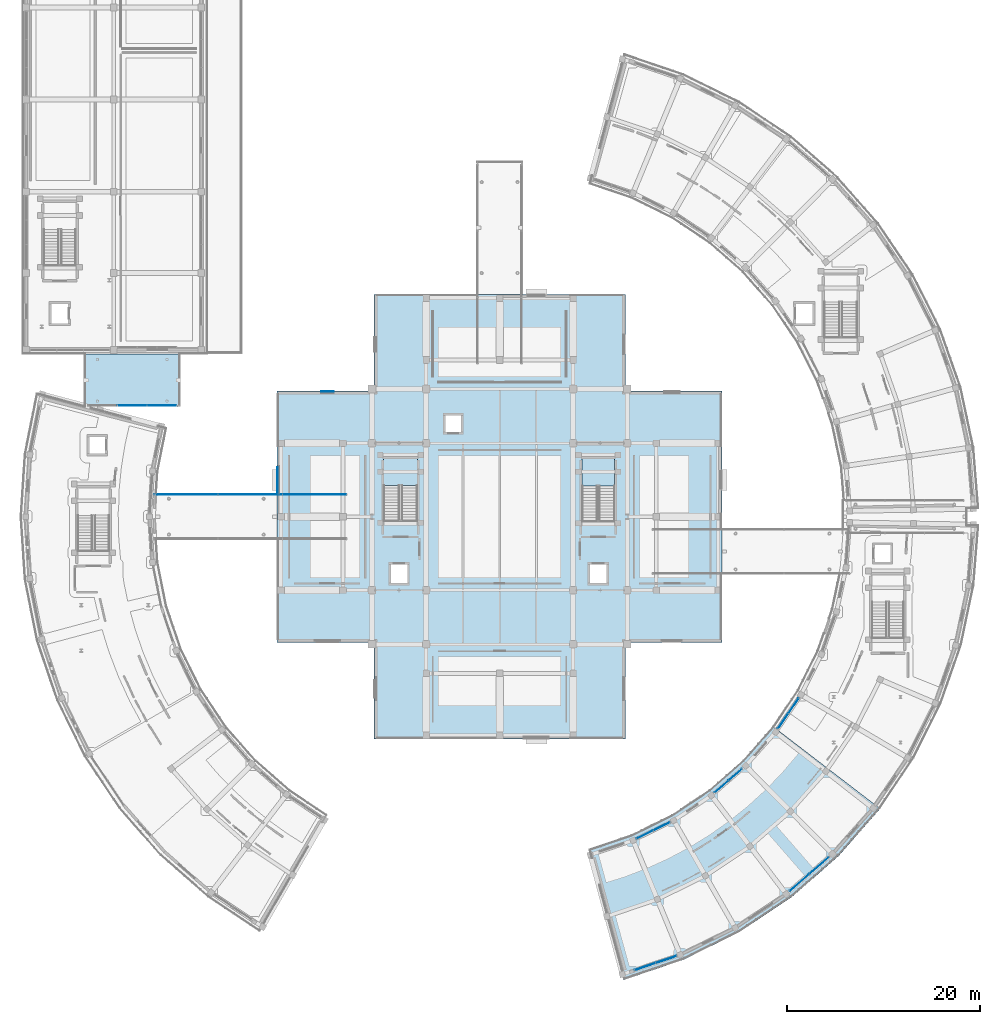
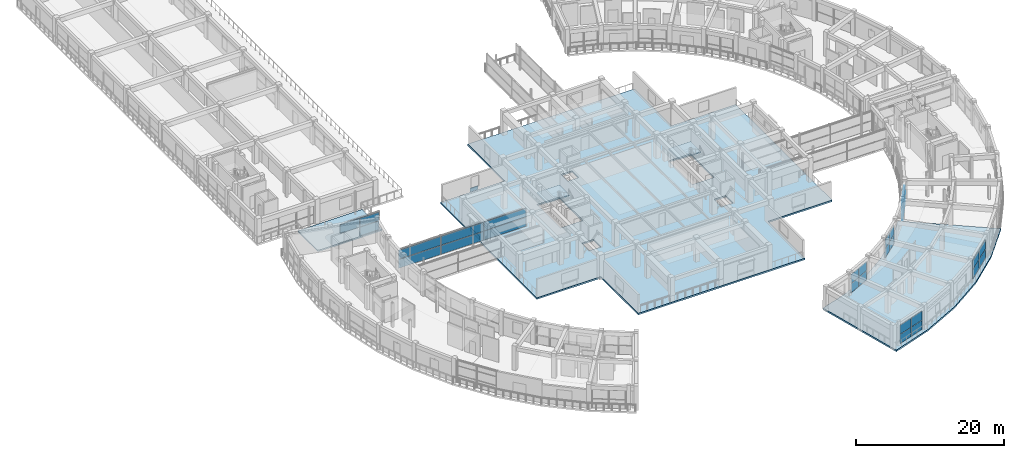
# One storey, part 39 of 70: 31 plates, 5 slabs, 9 elements without a shape of their own.
"""IFC4 building model written with IfcOpenShell, lengths in metres."""

import ifcopenshell
import ifcopenshell.guid

model = None  # the IFC model being written
_history = None  # IfcOwnerHistory: only IFC2X3 demands one
_inside = {}  # id of a spatial element -> (the spatial element, [elements in it])
_under = {}  # id of a project, library or spatial element -> (it, [spatial elements below it])
_declared = {}  # id of a project -> (the project, [libraries it declares])
_typed = {}  # id of a type object -> (the type object, [elements of that type])
_made_of = {}  # id of a material, layer set ... -> (it, [elements and type objects made of it])


def new_model(schema):
    """Start an empty IFC model of exactly this schema.

    Asked for "IFC4X3", IfcOpenShell would pick the latest addendum, in which some entities
    have other attributes; the version numbers below select the first issue.
    IFC2X3 requires an IfcOwnerHistory on every rooted entity: one is made here for all.
    """
    global model, _history
    if schema == "IFC4X3":
        model = ifcopenshell.file(schema_version=(4, 3, 0, 0))
    else:
        model = ifcopenshell.file(schema=schema)
    _inside.clear()
    _under.clear()
    _declared.clear()
    _typed.clear()
    _made_of.clear()
    _history = None
    if model.schema == "IFC2X3":
        org = make("IfcOrganization", Name="unknown")
        user = make(
            "IfcPersonAndOrganization",
            ThePerson=make("IfcPerson", FamilyName="unknown"),
            TheOrganization=org,
        )
        app = make(
            "IfcApplication",
            ApplicationDeveloper=org,
            Version="unknown",
            ApplicationFullName="unknown",
            ApplicationIdentifier="unknown",
        )
        _history = make(
            "IfcOwnerHistory",
            OwningUser=user,
            OwningApplication=app,
            ChangeAction="ADDED",
            CreationDate=0,
        )
    return model


def make(cls, **values):
    """One entity of the class cls with the attributes given. An attribute that is None is left unset."""
    return model.create_entity(
        cls, **{name: value for name, value in values.items() if value is not None}
    )


def rooted(cls, **values):
    """An entity with a GlobalId (a new one), such as an element, a storey or a relation."""
    return make(cls, GlobalId=ifcopenshell.guid.new(), OwnerHistory=_history, **values)


def si_unit(unit_type, name, prefix=None):
    """IfcSIUnit, for example si_unit("LENGTHUNIT", "METRE", prefix="MILLI")."""
    return make("IfcSIUnit", UnitType=unit_type, Prefix=prefix, Name=name)


def assignment(units):
    """IfcUnitAssignment: the units of a project."""
    return None if units is None else make("IfcUnitAssignment", Units=units)


def point(xyz):
    """IfcCartesianPoint."""
    return None if xyz is None else make("IfcCartesianPoint", Coordinates=xyz)


def direction(xyz):
    """IfcDirection."""
    return None if xyz is None else make("IfcDirection", DirectionRatios=xyz)


def frame(location, z_axis=None, x_axis=None):
    """IfcAxis2Placement3D, a coordinate frame: its origin and axes. An axis left out is left unset."""
    return make(
        "IfcAxis2Placement3D",
        Location=point(location),
        Axis=direction(z_axis),
        RefDirection=direction(x_axis),
    )


def frame_2d(location, x_axis=None):
    """IfcAxis2Placement2D, a coordinate frame in the plane: its origin and x axis."""
    return make(
        "IfcAxis2Placement2D", Location=point(location), RefDirection=direction(x_axis)
    )


def origin():
    """The frame at (0, 0, 0) with its axes left unset."""
    return frame((0.0, 0.0, 0.0))


def origin_2d():
    """The frame at (0, 0) in the plane with its x axis left unset."""
    return frame_2d((0.0, 0.0))


def place(relative_to, where):
    """IfcLocalPlacement: puts the frame where relative to a parent placement (None: the world)."""
    return make(
        "IfcLocalPlacement", PlacementRelTo=relative_to, RelativePlacement=where
    )


def context(
    kind, dimensions, precision=None, world=None, true_north=None, identifier=None
):
    """IfcGeometricRepresentationContext, for example the 3D "Model" context."""
    return make(
        "IfcGeometricRepresentationContext",
        ContextIdentifier=identifier,
        ContextType=kind,
        CoordinateSpaceDimension=dimensions,
        Precision=precision,
        WorldCoordinateSystem=world,
        TrueNorth=true_north,
    )


def subcontext(parent, identifier, kind, view, scale=None):
    """IfcGeometricRepresentationSubContext, for example "Body" below "Model"."""
    return make(
        "IfcGeometricRepresentationSubContext",
        ContextIdentifier=identifier,
        ContextType=kind,
        ParentContext=parent,
        TargetScale=scale,
        TargetView=view,
    )


def project(units=None, contexts=None):
    """IfcProject with its units and contexts."""
    return rooted(
        "IfcProject",
        Name="project",
        RepresentationContexts=contexts,
        UnitsInContext=assignment(units),
    )


def spatial(cls, under=None, at=None, **own):
    """A site, building, storey or space (cls), placed at a placement, below another one or the project."""
    s = rooted(cls, ObjectPlacement=at, **own)
    if under is not None:
        _under.setdefault(under.id(), (under, []))[1].append(s)
    return s


def polyline(points):
    """IfcPolyline through the points."""
    return make("IfcPolyline", Points=[point(p) for p in points])


def profile(cls, at=None, kind="AREA", **sizes):
    """A parametric profile (cls). Its sizes go by their IFC names, for example OverallWidth=200.0."""
    return make(cls, ProfileType=kind, Position=at, **sizes)


def rectangle(**sizes):
    """IfcRectangleProfileDef."""
    return profile("IfcRectangleProfileDef", **sizes)


def outline(outer, holes=None, kind="AREA"):
    """IfcArbitraryClosedProfileDef: a profile drawn as a closed curve; with holes, ...WithVoids."""
    if holes is None:
        return make("IfcArbitraryClosedProfileDef", ProfileType=kind, OuterCurve=outer)
    return make(
        "IfcArbitraryProfileDefWithVoids",
        ProfileType=kind,
        OuterCurve=outer,
        InnerCurves=holes,
    )


def extrude(swept, where, along, depth):
    """IfcExtrudedAreaSolid: the profile swept, set in the frame where, extruded along a direction by depth."""
    return make(
        "IfcExtrudedAreaSolid",
        SweptArea=swept,
        Position=where,
        ExtrudedDirection=direction(along),
        Depth=depth,
    )


def shape(context_of_items, identifier, shape_type, items):
    """IfcShapeRepresentation: the items that make up one representation, for example the "Body"."""
    return make(
        "IfcShapeRepresentation",
        ContextOfItems=context_of_items,
        RepresentationIdentifier=identifier,
        RepresentationType=shape_type,
        Items=items,
    )


def material(Name=None, Category=None):
    """IfcMaterial."""
    return make("IfcMaterial", Name=Name, Category=Category)


def layer(
    of_material, thickness, ventilated=None, Name=None, Category=None, Priority=None
):
    """IfcMaterialLayer: one layer of a wall or slab, of a material (None: an air gap)."""
    return make(
        "IfcMaterialLayer",
        Material=of_material,
        LayerThickness=thickness,
        IsVentilated=ventilated,
        Name=Name,
        Category=Category,
        Priority=Priority,
    )


def layer_set(layers, Name=None):
    """IfcMaterialLayerSet."""
    return make("IfcMaterialLayerSet", MaterialLayers=layers, LayerSetName=Name)


def made_of(thing, what):
    """Note that an element or type object is made of a material, layer set ...; save() writes the relation."""
    if what is not None:
        _made_of.setdefault(what.id(), (what, []))[1].append(thing)
    return thing


def type_object(cls, material=None, **own):
    """A type object (cls), such as IfcWallType, which elements share."""
    return made_of(rooted(cls, **own), material)


def element(
    cls,
    number,
    at=None,
    inside=None,
    cuts=None,
    type_object=None,
    material=None,
    context=None,
    identifier="Body",
    shape_type=None,
    held_by="IfcProductDefinitionShape",
    body=None,
    shapes=None,
    **own,
):
    """One element of the class cls, such as IfcWall. Its Tag is "e" and its number.

    at: its placement. inside: the storey or other place that contains it. cuts: it is an
    opening in that element (IfcRelVoidsElement). A single representation is given by context,
    identifier, shape_type and body (its items); several are given by shapes. held_by: the class
    of the entity that holds the representations. save() writes the other relations.
    """
    e = rooted(cls, Tag="e%d" % number, ObjectPlacement=at, **own)
    if body is not None:
        shapes = [shape(context, identifier, shape_type, body)]
    if shapes is not None:
        e.Representation = make(held_by, Representations=shapes)
    if inside is not None:
        _inside.setdefault(inside.id(), (inside, []))[1].append(e)
    if cuts is not None:
        rooted(
            "IfcRelVoidsElement", RelatingBuildingElement=cuts, RelatedOpeningElement=e
        )
    if type_object is not None:
        _typed.setdefault(type_object.id(), (type_object, []))[1].append(e)
    return made_of(e, material)


def aggregate(whole, parts):
    """IfcRelAggregates: a whole, such as a stair, and the parts it consists of."""
    return rooted("IfcRelAggregates", RelatingObject=whole, RelatedObjects=parts)


def save(model, path):
    """Write the relations noted so far, then the file.

    IfcRelAggregates (storeys below a building ...), IfcRelContainedInSpatialStructure (elements
    in a storey), IfcRelDefinesByType, IfcRelAssociatesMaterial and IfcRelDeclares: one each for
    every whole, place, type object, material and project.
    """
    for whole, parts in _under.values():
        aggregate(whole, parts)
    for where, things in _inside.values():
        rooted(
            "IfcRelContainedInSpatialStructure",
            RelatedElements=things,
            RelatingStructure=where,
        )
    for kind, things in _typed.values():
        rooted("IfcRelDefinesByType", RelatedObjects=things, RelatingType=kind)
    for what, things in _made_of.values():
        rooted("IfcRelAssociatesMaterial", RelatedObjects=things, RelatingMaterial=what)
    for by, libraries in _declared.values():
        rooted("IfcRelDeclares", RelatingContext=by, RelatedDefinitions=libraries)
    model.write(path)


model = new_model("IFC4")

# Units and contexts
model_context = context("Model", 3, precision=1e-05, world=origin(), true_north=direction((0.0, 1.0)))
body_context = subcontext(model_context, "Body", "Model", "MODEL_VIEW")
ifc_project = project(units=[si_unit("LENGTHUNIT", "METRE"), si_unit("AREAUNIT", "SQUARE_METRE"), si_unit("VOLUMEUNIT", "CUBIC_METRE"), si_unit("PLANEANGLEUNIT", "RADIAN"), si_unit("MASSUNIT", "GRAM", prefix="KILO")], contexts=[model_context])

# Site, building, storey
site_placement = place(None, origin())
site = spatial("IfcSite", under=ifc_project, at=site_placement, CompositionType="ELEMENT")
building_placement = place(site_placement, origin())
building = spatial("IfcBuilding", under=site, at=building_placement, Name="Saryqyr Civic Hall", CompositionType="ELEMENT")
storey_placement = place(building_placement, frame((0.0, 0.0, 13.199951171875)))
storey = spatial("IfcBuildingStorey", under=building, at=storey_placement, Name="L03", CompositionType="ELEMENT", Elevation=13.199951171875)

# Curtain wall, plates
ifc_material_1 = material(Name="Anodised aluminium and triple low-E glass", Category="aluminium")
curtain_wall_type_1 = type_object("IfcCurtainWallType", Name="ENV-CW-STD-30", PredefinedType="NOTDEFINED", material=ifc_material_1)
curtain_wall_1_placement = place(storey_placement, origin())
curtain_wall_1 = element("IfcCurtainWall", 1, at=curtain_wall_1_placement, inside=storey, type_object=curtain_wall_type_1, Name="Curtain wall V5-CWO-L03-00", PredefinedType="NOTDEFINED")
ifc_material_2 = material(Name="Triple low-E insulated glazing", Category="glass")
ifc_layer_1 = layer(ifc_material_2, 0.053955078125, Name="Triple low-E insulated glazing")
ifc_layer_set_1 = layer_set([ifc_layer_1], Name="Triple low-E insulated glazing")
plate_type_1 = type_object("IfcPlateType", Name="ENV-CW-PNL-38", PredefinedType="CURTAIN_PANEL", material=ifc_layer_set_1)
plate_1_placement = place(storey_placement, frame((74.221923828125, 38.20654296875, 0.06005859375), z_axis=(0.0, 0.0, 1.0), x_axis=(-0.947196460204, -0.320653809858, 0.0)))
plate_1 = element("IfcPlate", 2, at=plate_1_placement, type_object=plate_type_1, Name="CW-30 panel 1.1", PredefinedType="CURTAIN_PANEL", context=body_context, shape_type="SweptSolid", body=[
    extrude(rectangle(XDim=2.233154296875, YDim=0.053955078125, at=origin_2d()), origin(), (0.0, 0.0, 1.0), 1.491943359375),
])
plate_2_placement = place(storey_placement, frame((74.221923828125, 38.20654296875, 1.6123046875), z_axis=(0.0, 0.0, 1.0), x_axis=(-0.947196460204, -0.320653809858, 0.0)))
plate_2 = element("IfcPlate", 3, at=plate_2_placement, type_object=plate_type_1, Name="CW-30 panel 1.2", PredefinedType="CURTAIN_PANEL", context=body_context, shape_type="SweptSolid", body=[
    extrude(rectangle(XDim=2.233154296875, YDim=0.053955078125, at=origin_2d()), origin(), (0.0, 0.0, 1.0), 1.492919921875),
])
plate_3_placement = place(storey_placement, frame((72.050048828125, 37.47119140625, 0.06005859375), z_axis=(0.0, 0.0, 1.0), x_axis=(-0.947196460204, -0.320653809858, 0.0)))
plate_3 = element("IfcPlate", 4, at=plate_3_placement, type_object=plate_type_1, Name="CW-30 panel 2.1", PredefinedType="CURTAIN_PANEL", context=body_context, shape_type="SweptSolid", body=[
    extrude(rectangle(XDim=2.233154296875, YDim=0.053955078125, at=origin_2d()), origin(), (0.0, 0.0, 1.0), 1.491943359375),
])
plate_4_placement = place(storey_placement, frame((72.050048828125, 37.47119140625, 1.6123046875), z_axis=(0.0, 0.0, 1.0), x_axis=(-0.947196460204, -0.320653809858, 0.0)))
plate_4 = element("IfcPlate", 5, at=plate_4_placement, type_object=plate_type_1, Name="CW-30 panel 2.2", PredefinedType="CURTAIN_PANEL", context=body_context, shape_type="SweptSolid", body=[
    extrude(rectangle(XDim=2.233154296875, YDim=0.053955078125, at=origin_2d()), origin(), (0.0, 0.0, 1.0), 1.492919921875),
])
aggregate(curtain_wall_1, [plate_1, plate_2, plate_3, plate_4])

curtain_wall_type_2 = type_object("IfcCurtainWallType", Name="ENV-CW-STD-25", PredefinedType="NOTDEFINED", material=ifc_material_1)
curtain_wall_2_placement = place(storey_placement, origin())
curtain_wall_2 = element("IfcCurtainWall", 6, at=curtain_wall_2_placement, inside=storey, type_object=curtain_wall_type_2, Name="Curtain wall V5-CWI-L03-01", PredefinedType="NOTDEFINED")
plate_5_placement = place(storey_placement, frame((72.03076171875, 51.136962890625, 0.06005859375), z_axis=(0.0, 0.0, 1.0), x_axis=(0.897961859945, 0.440073287175, 0.0)))
plate_5 = element("IfcPlate", 7, at=plate_5_placement, type_object=plate_type_1, Name="CW-25 panel 1.1", PredefinedType="CURTAIN_PANEL", context=body_context, shape_type="SweptSolid", body=[
    extrude(rectangle(XDim=1.868896484375, YDim=0.053955078125, at=origin_2d()), origin(), (0.0, 0.0, 1.0), 1.491943359375),
])
plate_6_placement = place(storey_placement, frame((72.03076171875, 51.136962890625, 1.6123046875), z_axis=(0.0, 0.0, 1.0), x_axis=(0.897961859945, 0.440073287175, 0.0)))
plate_6 = element("IfcPlate", 8, at=plate_6_placement, type_object=plate_type_1, Name="CW-25 panel 1.2", PredefinedType="CURTAIN_PANEL", context=body_context, shape_type="SweptSolid", body=[
    extrude(rectangle(XDim=1.868896484375, YDim=0.053955078125, at=origin_2d()), origin(), (0.0, 0.0, 1.0), 1.492919921875),
])
plate_7_placement = place(storey_placement, frame((73.762939453125, 51.98583984375, 0.06005859375), z_axis=(0.0, 0.0, 1.0), x_axis=(0.897961859945, 0.440073287175, 0.0)))
plate_7 = element("IfcPlate", 9, at=plate_7_placement, type_object=plate_type_1, Name="CW-25 panel 2.1", PredefinedType="CURTAIN_PANEL", context=body_context, shape_type="SweptSolid", body=[
    extrude(rectangle(XDim=1.868896484375, YDim=0.053955078125, at=origin_2d()), origin(), (0.0, 0.0, 1.0), 1.491943359375),
])
plate_8_placement = place(storey_placement, frame((73.762939453125, 51.98583984375, 1.6123046875), z_axis=(0.0, 0.0, 1.0), x_axis=(0.897961859945, 0.440073287175, 0.0)))
plate_8 = element("IfcPlate", 10, at=plate_8_placement, type_object=plate_type_1, Name="CW-25 panel 2.2", PredefinedType="CURTAIN_PANEL", context=body_context, shape_type="SweptSolid", body=[
    extrude(rectangle(XDim=1.868896484375, YDim=0.053955078125, at=origin_2d()), origin(), (0.0, 0.0, 1.0), 1.492919921875),
])
aggregate(curtain_wall_2, [plate_5, plate_6, plate_7, plate_8])

curtain_wall_type_3 = type_object("IfcCurtainWallType", Name="ENV-CW-STD-39", PredefinedType="NOTDEFINED", material=ifc_material_1)
curtain_wall_3_placement = place(storey_placement, origin())
curtain_wall_3 = element("IfcCurtainWall", 11, at=curtain_wall_3_placement, inside=storey, type_object=curtain_wall_type_3, Name="Curtain wall V5-CWO-L03-03", PredefinedType="NOTDEFINED")
plate_9_placement = place(storey_placement, frame((90.040771484375, 47.92919921875, 0.06005859375), z_axis=(0.0, 0.0, 1.0), x_axis=(-0.755657475938, -0.654967006085, 0.0)))
plate_9 = element("IfcPlate", 12, at=plate_9_placement, type_object=plate_type_1, Name="CW-39 panel 1.1", PredefinedType="CURTAIN_PANEL", context=body_context, shape_type="SweptSolid", body=[
    extrude(rectangle(XDim=2.624267578125, YDim=0.053955078125, at=origin_2d()), origin(), (0.0, 0.0, 1.0), 1.491943359375),
])
plate_10_placement = place(storey_placement, frame((90.040771484375, 47.92919921875, 1.6123046875), z_axis=(0.0, 0.0, 1.0), x_axis=(-0.755657475938, -0.654967006085, 0.0)))
plate_10 = element("IfcPlate", 13, at=plate_10_placement, type_object=plate_type_1, Name="CW-39 panel 1.2", PredefinedType="CURTAIN_PANEL", context=body_context, shape_type="SweptSolid", body=[
    extrude(rectangle(XDim=2.624267578125, YDim=0.053955078125, at=origin_2d()), origin(), (0.0, 0.0, 1.0), 1.492919921875),
])
plate_11_placement = place(storey_placement, frame((88.012451171875, 46.171142578125, 0.06005859375), z_axis=(0.0, 0.0, 1.0), x_axis=(-0.755657475938, -0.654967006085, 0.0)))
plate_11 = element("IfcPlate", 14, at=plate_11_placement, type_object=plate_type_1, Name="CW-39 panel 2.1", PredefinedType="CURTAIN_PANEL", context=body_context, shape_type="SweptSolid", body=[
    extrude(rectangle(XDim=2.624267578125, YDim=0.053955078125, at=origin_2d()), origin(), (0.0, 0.0, 1.0), 1.491943359375),
])
plate_12_placement = place(storey_placement, frame((88.012451171875, 46.171142578125, 1.6123046875), z_axis=(0.0, 0.0, 1.0), x_axis=(-0.755657475938, -0.654967006085, 0.0)))
plate_12 = element("IfcPlate", 15, at=plate_12_placement, type_object=plate_type_1, Name="CW-39 panel 2.2", PredefinedType="CURTAIN_PANEL", context=body_context, shape_type="SweptSolid", body=[
    extrude(rectangle(XDim=2.624267578125, YDim=0.053955078125, at=origin_2d()), origin(), (0.0, 0.0, 1.0), 1.492919921875),
])
aggregate(curtain_wall_3, [plate_9, plate_10, plate_11, plate_12])

curtain_wall_type_4 = type_object("IfcCurtainWallType", Name="ENV-CW-STD-27", PredefinedType="NOTDEFINED", material=ifc_material_1)
curtain_wall_4_placement = place(storey_placement, origin())
curtain_wall_4 = element("IfcCurtainWall", 16, at=curtain_wall_4_placement, inside=storey, type_object=curtain_wall_type_4, Name="Curtain wall V5-CWI-L03-03", PredefinedType="NOTDEFINED")
plate_13_placement = place(storey_placement, frame((79.95849609375, 56.093994140625, 0.06005859375), z_axis=(0.0, 0.0, 1.0), x_axis=(0.755651502076, 0.654973898267, 0.0)))
plate_13 = element("IfcPlate", 17, at=plate_13_placement, type_object=plate_type_1, Name="CW-27 panel 1.1", PredefinedType="CURTAIN_PANEL", context=body_context, shape_type="SweptSolid", body=[
    extrude(rectangle(XDim=1.797607421875, YDim=0.053955078125, at=origin_2d()), origin(), (0.0, 0.0, 1.0), 1.491943359375),
])
plate_14_placement = place(storey_placement, frame((79.95849609375, 56.093994140625, 1.6123046875), z_axis=(0.0, 0.0, 1.0), x_axis=(0.755651502076, 0.654973898267, 0.0)))
plate_14 = element("IfcPlate", 18, at=plate_14_placement, type_object=plate_type_1, Name="CW-27 panel 1.2", PredefinedType="CURTAIN_PANEL", context=body_context, shape_type="SweptSolid", body=[
    extrude(rectangle(XDim=1.797607421875, YDim=0.053955078125, at=origin_2d()), origin(), (0.0, 0.0, 1.0), 1.492919921875),
])
plate_15_placement = place(storey_placement, frame((81.3623046875, 57.310791015625, 0.06005859375), z_axis=(0.0, 0.0, 1.0), x_axis=(0.755651502076, 0.654973898267, 0.0)))
plate_15 = element("IfcPlate", 19, at=plate_15_placement, type_object=plate_type_1, Name="CW-27 panel 2.1", PredefinedType="CURTAIN_PANEL", context=body_context, shape_type="SweptSolid", body=[
    extrude(rectangle(XDim=1.797607421875, YDim=0.053955078125, at=origin_2d()), origin(), (0.0, 0.0, 1.0), 1.491943359375),
])
plate_16_placement = place(storey_placement, frame((81.3623046875, 57.310791015625, 1.6123046875), z_axis=(0.0, 0.0, 1.0), x_axis=(0.755651502076, 0.654973898267, 0.0)))
plate_16 = element("IfcPlate", 20, at=plate_16_placement, type_object=plate_type_1, Name="CW-27 panel 2.2", PredefinedType="CURTAIN_PANEL", context=body_context, shape_type="SweptSolid", body=[
    extrude(rectangle(XDim=1.797607421875, YDim=0.053955078125, at=origin_2d()), origin(), (0.0, 0.0, 1.0), 1.492919921875),
])
aggregate(curtain_wall_4, [plate_13, plate_14, plate_15, plate_16])

curtain_wall_5_placement = place(storey_placement, origin())
curtain_wall_5 = element("IfcCurtainWall", 21, at=curtain_wall_5_placement, inside=storey, type_object=curtain_wall_type_4, Name="Curtain wall V5-CWI-L03-05", PredefinedType="NOTDEFINED")
plate_17_placement = place(storey_placement, frame((86.318115234375, 62.873779296875, 0.06005859375), z_axis=(0.0, 0.0, 1.0), x_axis=(0.563129803105, 0.826368455869, 0.0)))
plate_17 = element("IfcPlate", 22, at=plate_17_placement, type_object=plate_type_1, Name="CW-27 panel 1.1", PredefinedType="CURTAIN_PANEL", context=body_context, shape_type="SweptSolid", body=[
    extrude(rectangle(XDim=1.836181640625, YDim=0.053955078125, at=origin_2d()), origin(), (0.0, 0.0, 1.0), 1.491943359375),
])
plate_18_placement = place(storey_placement, frame((86.318115234375, 62.873779296875, 1.6123046875), z_axis=(0.0, 0.0, 1.0), x_axis=(0.563129803105, 0.826368455869, 0.0)))
plate_18 = element("IfcPlate", 23, at=plate_18_placement, type_object=plate_type_1, Name="CW-27 panel 1.2", PredefinedType="CURTAIN_PANEL", context=body_context, shape_type="SweptSolid", body=[
    extrude(rectangle(XDim=1.836181640625, YDim=0.053955078125, at=origin_2d()), origin(), (0.0, 0.0, 1.0), 1.492919921875),
])
plate_19_placement = place(storey_placement, frame((87.385986328125, 64.440673828125, 0.06005859375), z_axis=(0.0, 0.0, 1.0), x_axis=(0.563129803105, 0.826368455869, 0.0)))
plate_19 = element("IfcPlate", 24, at=plate_19_placement, type_object=plate_type_1, Name="CW-27 panel 2.1", PredefinedType="CURTAIN_PANEL", context=body_context, shape_type="SweptSolid", body=[
    extrude(rectangle(XDim=1.836181640625, YDim=0.053955078125, at=origin_2d()), origin(), (0.0, 0.0, 1.0), 1.491943359375),
])
plate_20_placement = place(storey_placement, frame((87.385986328125, 64.440673828125, 1.6123046875), z_axis=(0.0, 0.0, 1.0), x_axis=(0.563129803105, 0.826368455869, 0.0)))
plate_20 = element("IfcPlate", 25, at=plate_20_placement, type_object=plate_type_1, Name="CW-27 panel 2.2", PredefinedType="CURTAIN_PANEL", context=body_context, shape_type="SweptSolid", body=[
    extrude(rectangle(XDim=1.836181640625, YDim=0.053955078125, at=origin_2d()), origin(), (0.0, 0.0, 1.0), 1.492919921875),
])
aggregate(curtain_wall_5, [plate_17, plate_18, plate_19, plate_20])

curtain_wall_type_5 = type_object("IfcCurtainWallType", Name="ENV-CW-STD-84", PredefinedType="NOTDEFINED", material=ifc_material_1)
curtain_wall_6_placement = place(storey_placement, origin())
curtain_wall_6 = element("IfcCurtainWall", 26, at=curtain_wall_6_placement, inside=storey, type_object=curtain_wall_type_5, Name="Curtain wall BR-NW-CW1-L03", PredefinedType="NOTDEFINED")
plate_21_placement = place(storey_placement, frame((22.0517578125, 95.52001953125, 0.06005859375), z_axis=(0.0, 0.0, 1.0), x_axis=(-1.0, 0.0, 0.0)))
plate_21 = element("IfcPlate", 27, at=plate_21_placement, type_object=plate_type_1, Name="CW-84 panel 1.1", PredefinedType="CURTAIN_PANEL", context=body_context, shape_type="SweptSolid", body=[
    extrude(rectangle(XDim=2.9765625, YDim=0.053955078125, at=origin_2d()), origin(), (0.0, 0.0, 1.0), 1.4169921875),
])
plate_22_placement = place(storey_placement, frame((22.0517578125, 95.52001953125, 1.537109375), z_axis=(0.0, 0.0, 1.0), x_axis=(-1.0, 0.0, 0.0)))
plate_22 = element("IfcPlate", 28, at=plate_22_placement, type_object=plate_type_1, Name="CW-84 panel 1.2", PredefinedType="CURTAIN_PANEL", context=body_context, shape_type="SweptSolid", body=[
    extrude(rectangle(XDim=2.9765625, YDim=0.053955078125, at=origin_2d()), origin(), (0.0, 0.0, 1.0), 1.41796875),
])
plate_23_placement = place(storey_placement, frame((19.0, 95.52001953125, 1.537109375), z_axis=(0.0, 0.0, 1.0), x_axis=(-1.0, 0.0, 0.0)))
plate_23 = element("IfcPlate", 29, at=plate_23_placement, type_object=plate_type_1, Name="CW-84 panel 2.2", PredefinedType="CURTAIN_PANEL", context=body_context, shape_type="SweptSolid", body=[
    extrude(rectangle(XDim=3.006591796875, YDim=0.053955078125, at=origin_2d()), origin(), (0.0, 0.0, 1.0), 1.41796875),
])
aggregate(curtain_wall_6, [plate_21, plate_22, plate_23])

curtain_wall_type_6 = type_object("IfcCurtainWallType", Name="ENV-CW-STD-86", PredefinedType="NOTDEFINED", material=ifc_material_1)
curtain_wall_7_placement = place(storey_placement, origin())
curtain_wall_7 = element("IfcCurtainWall", 30, at=curtain_wall_7_placement, inside=storey, type_object=curtain_wall_type_6, Name="Curtain wall BR-CW-CW2-L03", PredefinedType="NOTDEFINED")
plate_24_placement = place(storey_placement, frame((24.54833984375, 86.280029296875, 0.06005859375), z_axis=(0.0, 0.0, 1.0), x_axis=(1.0, 0.0, 0.0)))
plate_24 = element("IfcPlate", 31, at=plate_24_placement, type_object=plate_type_1, Name="CW-86 panel 1.1", PredefinedType="CURTAIN_PANEL", context=body_context, shape_type="SweptSolid", body=[
    extrude(rectangle(XDim=6.57666015625, YDim=0.053955078125, at=origin_2d()), origin(), (0.0, 0.0, 1.0), 1.4599609375),
])
plate_25_placement = place(storey_placement, frame((24.54833984375, 86.280029296875, 1.580078125), z_axis=(0.0, 0.0, 1.0), x_axis=(1.0, 0.0, 0.0)))
plate_25 = element("IfcPlate", 32, at=plate_25_placement, type_object=plate_type_1, Name="CW-86 panel 1.2", PredefinedType="CURTAIN_PANEL", context=body_context, shape_type="SweptSolid", body=[
    extrude(rectangle(XDim=6.57666015625, YDim=0.053955078125, at=origin_2d()), origin(), (0.0, 0.0, 1.0), 1.4599609375),
])
plate_26_placement = place(storey_placement, frame((31.199951171875, 86.280029296875, 0.06005859375), z_axis=(0.0, 0.0, 1.0), x_axis=(1.0, 0.0, 0.0)))
plate_26 = element("IfcPlate", 33, at=plate_26_placement, type_object=plate_type_1, Name="CW-86 panel 2.1", PredefinedType="CURTAIN_PANEL", context=body_context, shape_type="SweptSolid", body=[
    extrude(rectangle(XDim=6.606689453125, YDim=0.053955078125, at=origin_2d()), origin(), (0.0, 0.0, 1.0), 1.4599609375),
])
plate_27_placement = place(storey_placement, frame((31.199951171875, 86.280029296875, 1.580078125), z_axis=(0.0, 0.0, 1.0), x_axis=(1.0, 0.0, 0.0)))
plate_27 = element("IfcPlate", 34, at=plate_27_placement, type_object=plate_type_1, Name="CW-86 panel 2.2", PredefinedType="CURTAIN_PANEL", context=body_context, shape_type="SweptSolid", body=[
    extrude(rectangle(XDim=6.606689453125, YDim=0.053955078125, at=origin_2d()), origin(), (0.0, 0.0, 1.0), 1.4599609375),
])
plate_28_placement = place(storey_placement, frame((37.8515625, 86.280029296875, 0.06005859375), z_axis=(0.0, 0.0, 1.0), x_axis=(1.0, 0.0, 0.0)))
plate_28 = element("IfcPlate", 35, at=plate_28_placement, type_object=plate_type_1, Name="CW-86 panel 3.1", PredefinedType="CURTAIN_PANEL", context=body_context, shape_type="SweptSolid", body=[
    extrude(rectangle(XDim=6.57666015625, YDim=0.053955078125, at=origin_2d()), origin(), (0.0, 0.0, 1.0), 1.4599609375),
])
plate_29_placement = place(storey_placement, frame((37.8515625, 86.280029296875, 1.580078125), z_axis=(0.0, 0.0, 1.0), x_axis=(1.0, 0.0, 0.0)))
plate_29 = element("IfcPlate", 36, at=plate_29_placement, type_object=plate_type_1, Name="CW-86 panel 3.2", PredefinedType="CURTAIN_PANEL", context=body_context, shape_type="SweptSolid", body=[
    extrude(rectangle(XDim=6.57666015625, YDim=0.053955078125, at=origin_2d()), origin(), (0.0, 0.0, 1.0), 1.4599609375),
])
aggregate(curtain_wall_7, [plate_24, plate_25, plate_26, plate_27, plate_28, plate_29])

# Plates
ifc_material_3 = material(Name="Warm brushed brass-anodised aluminium", Category="aluminium")
ifc_layer_2 = layer(ifc_material_3, 0.008056640625, Name="Warm brushed brass-anodised aluminium")
ifc_layer_set_2 = layer_set([ifc_layer_2], Name="Warm brushed brass-anodised aluminium")
plate_type_2 = type_object("IfcPlateType", Name="ENV-PLT-BRASS-1", PredefinedType="SHEET", material=ifc_layer_set_2)
plate_30_placement = place(storey_placement, frame((39.199951171875, 96.947021484375, 0.080078125), z_axis=(0.0, 0.0, 1.0), x_axis=(1.0, 0.0, 0.0)))
element("IfcPlate", 37, at=plate_30_placement, inside=storey, type_object=plate_type_2, Name="Warm brass spandrel cladding sheet L03-03", PredefinedType="SHEET", context=body_context, shape_type="SweptSolid", body=[
    extrude(rectangle(XDim=1.25, YDim=0.008056640625, at=origin_2d()), origin(), (0.0, 0.0, 1.0), 0.679931640625),
])
ifc_layer_3 = layer(ifc_material_3, 0.031982421875, Name="Warm brushed brass-anodised aluminium")
ifc_layer_set_3 = layer_set([ifc_layer_3], Name="Warm brushed brass-anodised aluminium")
plate_type_3 = type_object("IfcPlateType", Name="ENV-PLT-BRASS-3", PredefinedType="SHEET", material=ifc_layer_set_3)
plate_31_placement = place(storey_placement, frame((34.041015625, 87.800048828125, 0.080078125), z_axis=(0.0, 0.0, 1.0), x_axis=(0.0, 1.0, 0.0)))
element("IfcPlate", 38, at=plate_31_placement, inside=storey, type_object=plate_type_3, Name="Warm brass spandrel cladding sheet L03-02", PredefinedType="SHEET", context=body_context, shape_type="SweptSolid", body=[
    extrude(rectangle(XDim=2.60009765625, YDim=0.031982421875, at=origin_2d()), origin(), (0.0, 0.0, 1.0), 0.679931640625),
])

# Slabs
ifc_material_4 = material(Name="Concrete C35/45", Category="concrete")
ifc_layer_4 = layer(ifc_material_4, 0.22998046875, Name="Concrete C35/45")
ifc_layer_set_4 = layer_set([ifc_layer_4], Name="Concrete C35/45")
slab_type_1 = type_object("IfcSlabType", Name="STR-SLB-FLR-230", PredefinedType="FLOOR", material=ifc_layer_set_4)
slab_1_placement = place(storey_placement, frame((0.0, 0.0, -0.22998046875)))
element("IfcSlab", 39, at=slab_1_placement, inside=storey, type_object=slab_type_1, Name="Slab SLB-BR-NW-L03", PredefinedType="FLOOR", context=body_context, shape_type="SweptSolid", body=[
    extrude(outline(polyline([(24.0, 95.39990234375), (14.45458984375, 95.39990234375), (14.0, 95.521728515625), (14.0, 100.800048828125), (24.0, 100.800048828125), (24.0, 95.39990234375)])), origin(), (0.0, 0.0, 1.0), 0.22998046875),
])
ifc_layer_5 = layer(ifc_material_4, 0.260009765625, Name="Concrete C35/45")
ifc_layer_set_5 = layer_set([ifc_layer_5], Name="Concrete C35/45")
slab_type_2 = type_object("IfcSlabType", Name="STR-SLB-FLR-260", PredefinedType="FLOOR", material=ifc_layer_set_5)
slab_2_placement = place(storey_placement, frame((0.0, 0.0, -0.260009765625)))
element("IfcSlab", 40, at=slab_2_placement, inside=storey, type_object=slab_type_2, Name="Slab SLB-V1-L03", PredefinedType="FLOOR", context=body_context, shape_type="SweptSolid", body=[
    extrude(outline(polyline([(44.0, 71.0), (34.0, 71.0), (34.0, 97.0), (44.0, 97.0), (44.0, 107.0), (70.0, 107.0), (70.0, 97.0), (80.0, 97.0), (80.0, 71.0), (70.0, 71.0), (70.0, 61.0), (44.0, 61.0), (44.0, 71.0)]), holes=[polyline([(47.5, 79.10009765625), (45.699951171875, 79.10009765625), (45.699951171875, 77.10009765625), (47.5, 77.10009765625), (47.5, 79.10009765625)]), polyline([(48.5, 90.0), (45.0, 90.0), (45.0, 83.64990234375), (48.5, 83.64990234375), (48.5, 90.0)]), polyline([(53.050048828125, 92.699951171875), (53.050048828125, 94.5), (51.35009765625, 94.5), (51.35009765625, 92.699951171875), (53.050048828125, 92.699951171875)]), polyline([(68.10009765625, 77.10009765625), (68.10009765625, 79.10009765625), (66.300048828125, 79.10009765625), (66.300048828125, 77.10009765625), (68.10009765625, 77.10009765625)]), polyline([(68.89990234375, 90.0), (65.5, 90.0), (65.5, 83.60009765625), (68.89990234375, 83.60009765625), (68.89990234375, 90.0)])]), origin(), (0.0, 0.0, 1.0), 0.260009765625),
])
slab_3_placement = place(storey_placement, frame((0.0, 0.0, -0.260009765625)))
element("IfcSlab", 41, at=slab_3_placement, inside=storey, type_object=slab_type_2, Name="Slab SLB-V5A-L03", PredefinedType="FLOOR", context=body_context, shape_type="SweptSolid", body=[
    extrude(outline(polyline([(70.62353515625, 51.10986328125), (74.800048828125, 53.16943359375), (78.671875, 55.756591796875), (82.173095703125, 58.826904296875), (85.243408203125, 62.328125), (96.350341796875, 53.805419921875), (92.072509765625, 48.927490234375), (87.194580078125, 44.649658203125), (81.800048828125, 41.045166015625), (75.981201171875, 38.175537109375), (69.83740234375, 36.090087890625), (66.214111328125, 49.613037109375), (70.62353515625, 51.10986328125)])), origin(), (0.0, 0.0, 1.0), 0.260009765625),
])

# Stair, slab
stair_type_1 = type_object("IfcStairType", Name="INT-STR-ST-1", PredefinedType="HALF_TURN_STAIR", material=ifc_material_4)
stair_1_placement = place(storey_placement, origin())
stair_1 = element("IfcStair", 42, at=stair_1_placement, inside=storey, type_object=stair_type_1, Name="L03 Protected Exit Stair ST-1", PredefinedType="HALF_TURN_STAIR")
ifc_layer_6 = layer(ifc_material_4, 0.199951171875, Name="Concrete C35/45")
ifc_layer_set_6 = layer_set([ifc_layer_6], Name="Concrete C35/45")
slab_type_3 = type_object("IfcSlabType", Name="STR-SLB-LND-200", PredefinedType="LANDING", material=ifc_layer_set_6)
slab_4_placement = place(storey_placement, frame((0.0, 0.0, 1.824951171875)))
slab_4 = element("IfcSlab", 43, at=slab_4_placement, type_object=slab_type_3, Name="ST-1 landing 1", PredefinedType="LANDING", context=body_context, shape_type="SweptSolid", body=[
    extrude(outline(polyline([(48.5, 87.25), (48.5, 90.0), (45.0, 90.0), (45.0, 87.25), (48.5, 87.25)])), origin(), (0.0, 0.0, 1.0), 0.2001953125),
])
aggregate(stair_1, [slab_4])

stair_type_2 = type_object("IfcStairType", Name="INT-STR-ST-2", PredefinedType="HALF_TURN_STAIR", material=ifc_material_4)
stair_2_placement = place(storey_placement, origin())
stair_2 = element("IfcStair", 44, at=stair_2_placement, inside=storey, type_object=stair_type_2, Name="L03 Protected Exit Stair ST-2", PredefinedType="HALF_TURN_STAIR")
slab_5_placement = place(storey_placement, frame((0.0, 0.0, 1.824951171875)))
slab_5 = element("IfcSlab", 45, at=slab_5_placement, type_object=slab_type_3, Name="ST-2 landing 1", PredefinedType="LANDING", context=body_context, shape_type="SweptSolid", body=[
    extrude(outline(polyline([(68.89990234375, 87.199951171875), (68.89990234375, 90.0), (65.5, 90.0), (65.5, 87.199951171875), (68.89990234375, 87.199951171875)])), origin(), (0.0, 0.0, 1.0), 0.2001953125),
])
aggregate(stair_2, [slab_5])

save(model, "model.ifc")
